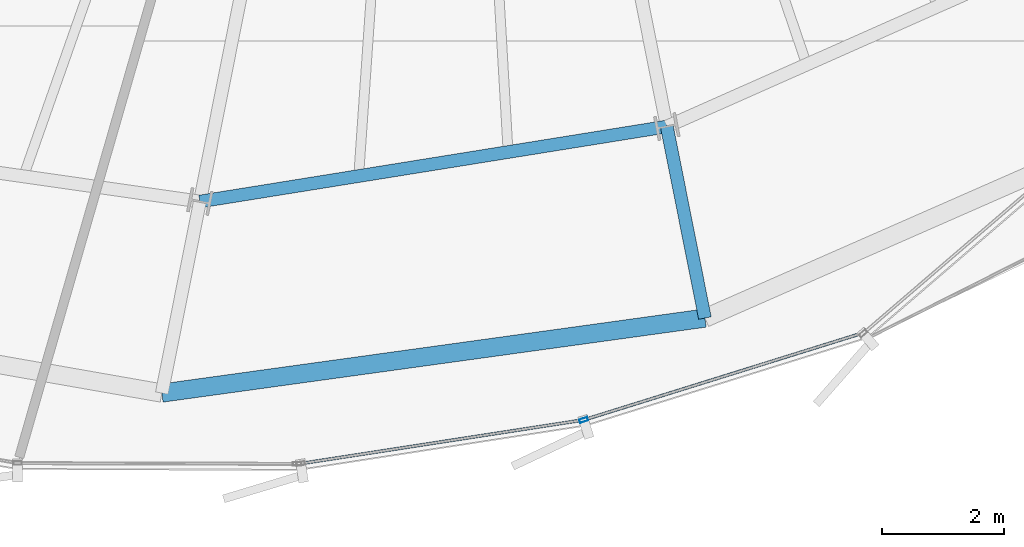
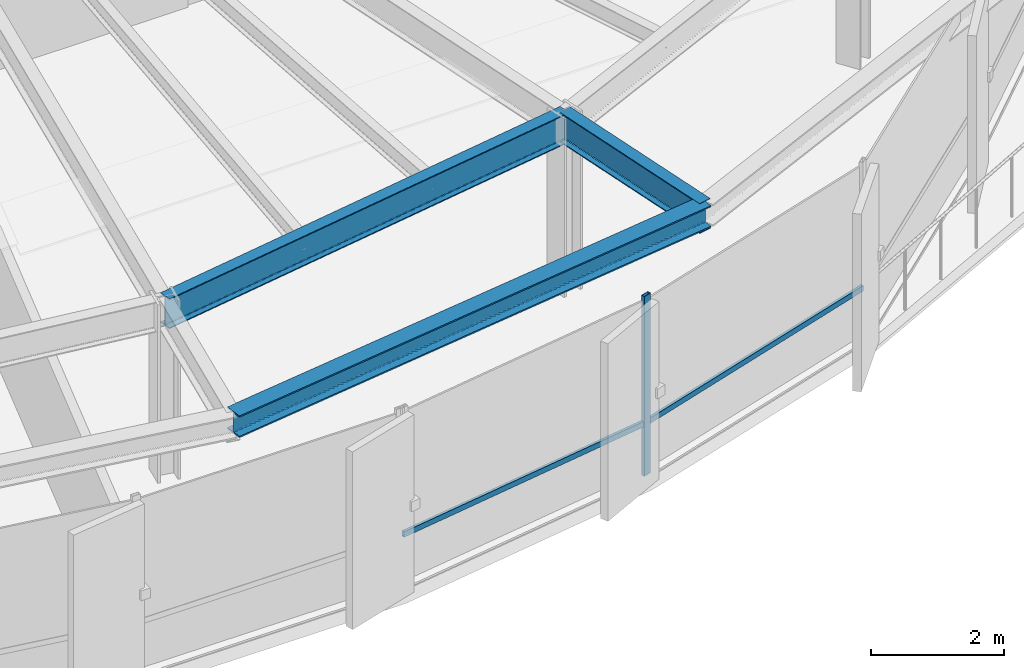
# One storey, part 6 of 34: 3 beams, 3 members, 1 element without a shape of its own.
"""IFC4 building model written with IfcOpenShell, lengths in metres."""

from ifc_helpers import new_model, si_unit, direction, frame, origin, origin_2d, place, context, subcontext, project, spatial, hollow_rectangle, i_section, extrude, source, transform, mapped, material, layer, layer_set, material_profile, profile_set, type_object, element, aggregate, save


model = new_model("IFC4")

# Units and contexts
model_context = context("Model", 3, precision=1e-05, world=origin(), true_north=direction((0.0, 1.0)))
body_context = subcontext(model_context, "Body", "Model", "MODEL_VIEW")
ifc_project = project(units=[si_unit("LENGTHUNIT", "METRE"), si_unit("AREAUNIT", "SQUARE_METRE"), si_unit("VOLUMEUNIT", "CUBIC_METRE"), si_unit("PLANEANGLEUNIT", "RADIAN"), si_unit("MASSUNIT", "GRAM", prefix="KILO"), si_unit("THERMODYNAMICTEMPERATUREUNIT", "KELVIN")], contexts=[model_context])

# Site, building, storey
site_placement = place(None, origin())
site = spatial("IfcSite", under=ifc_project, at=site_placement, CompositionType="ELEMENT")
building_placement = place(site_placement, origin())
building = spatial("IfcBuilding", under=site, at=building_placement, Name="Kethvar Cultural Tower", CompositionType="ELEMENT")
storey_placement = place(building_placement, frame((0.0, 0.0, 153.64990234375)))
storey = spatial("IfcBuildingStorey", under=building, at=storey_placement, Name="L39", CompositionType="ELEMENT", Elevation=153.64990234375)

# Beams
ifc_material_1 = material(Name="Steel S355J2", Category="steel")
ifc_material_profile_1 = material_profile(ifc_material_1, i_section(OverallWidth=0.2099609375, OverallDepth=0.550048828125, WebThickness=0.010986328125, FlangeThickness=0.01708984375, FilletRadius=0.02392578125, at=origin_2d()), Name="Steel S355J2 — IPE550")
ifc_profile_set_1 = profile_set([ifc_material_profile_1], Name="Steel S355J2 — IPE550")
beam_type_1 = type_object("IfcBeamType", Name="BM-IPE550", PredefinedType="BEAM", material=ifc_profile_set_1)
shared_shape_1 = source(origin(), body_context, "Body", "SweptSolid", [
    extrude(i_section(OverallWidth=0.2099609375, OverallDepth=0.550048828125, WebThickness=0.010986328125, FlangeThickness=0.01708984375, FilletRadius=0.02392578125, at=origin_2d()), origin(), (0.0, 0.0, 1.0), 3.2001953125),
])
beam_1_placement = place(storey_placement, frame((50.50341796875, 9.182373046875, 3.023193359375), z_axis=(0.195074368086, -0.980788453702, 0.0), x_axis=(0.980788453702, 0.195074368086, 0.0)))
element("IfcBeam", 1, at=beam_1_placement, inside=storey, type_object=beam_type_1, Name="L39 Perimeter Cantilever Beam RC-13", PredefinedType="BEAM", context=body_context, shape_type="MappedRepresentation", body=[
    mapped(shared_shape_1, transform((0.0, 0.0, 0.0), scale=1.0)),
])
shared_shape_2 = source(origin(), body_context, "Body", "SweptSolid", [
    extrude(i_section(OverallWidth=0.2099609375, OverallDepth=0.550048828125, WebThickness=0.010986328125, FlangeThickness=0.01708984375, FilletRadius=0.02392578125, at=origin_2d()), origin(), (0.0, 0.0, 1.0), 7.749267578125),
])
beam_2_placement = place(storey_placement, frame((42.852294921875, 7.95361328125, 3.023193359375), z_axis=(0.987348257569, 0.158566762831, 0.0), x_axis=(-0.158566762831, 0.987348257569, 0.0)))
element("IfcBeam", 2, at=beam_2_placement, inside=storey, type_object=beam_type_1, Name="L39 Column Ring Tie Beam CR-12", PredefinedType="BEAM", context=body_context, shape_type="MappedRepresentation", body=[
    mapped(shared_shape_2, transform((0.0, 0.0, 0.0), scale=1.0)),
])
ifc_material_profile_2 = material_profile(ifc_material_1, i_section(OverallWidth=0.300048828125, OverallDepth=0.39990234375, WebThickness=0.013427734375, FlangeThickness=0.02392578125, FilletRadius=0.027099609375, at=origin_2d()), Name="Steel S355J2 — HEB400")
ifc_profile_set_2 = profile_set([ifc_material_profile_2], Name="Steel S355J2 — HEB400")
beam_type_2 = type_object("IfcBeamType", Name="BM-SP400", PredefinedType="SPANDREL", material=ifc_profile_set_2)
shared_shape_3 = source(origin(), body_context, "Body", "SweptSolid", [
    extrude(i_section(OverallWidth=0.300048828125, OverallDepth=0.39990234375, WebThickness=0.013427734375, FlangeThickness=0.02392578125, FilletRadius=0.027099609375, at=origin_2d()), origin(), (0.0, 0.0, 1.0), 8.984130859375),
])
beam_3_placement = place(storey_placement, frame((42.22802734375, 4.81494140625, 3.09814453125), z_axis=(0.990602728928, 0.136770733127, 0.0), x_axis=(-0.136770733127, 0.990602728928, 0.0)))
element("IfcBeam", 3, at=beam_3_placement, inside=storey, type_object=beam_type_2, Name="L39 Perimeter Spandrel Beam SP-12", PredefinedType="SPANDREL", context=body_context, shape_type="MappedRepresentation", body=[
    mapped(shared_shape_3, transform((0.0, 0.0, 0.0), scale=1.0)),
])

# Curtain wall, members
ifc_material_2 = material(Name="Aluminium 6063-T6", Category="aluminium")
ifc_layer = layer(ifc_material_2, 0.179931640625, Name="Aluminium 6063-T6", Category="aluminium")
ifc_layer_set = layer_set([ifc_layer], Name="Aluminium 6063-T6 (180 mm)")
curtain_wall_type = type_object("IfcCurtainWallType", Name="CW-SYS-04-Z34", PredefinedType="NOTDEFINED", material=ifc_layer_set)
curtain_wall_placement = place(storey_placement, origin())
curtain_wall = element("IfcCurtainWall", 4, at=curtain_wall_placement, inside=storey, type_object=curtain_wall_type, Name="L39 Curtain Wall Run 05", PredefinedType="NOTDEFINED")
ifc_material_profile_3 = material_profile(ifc_material_2, hollow_rectangle(XDim=0.06005859375, YDim=0.139892578125, WallThickness=0.0048828125, at=origin_2d()), Name="Aluminium 6063-T6 — RHS140x60x5")
ifc_profile_set_3 = profile_set([ifc_material_profile_3], Name="Aluminium 6063-T6 — RHS140x60x5")
member_type_1 = type_object("IfcMemberType", Name="CW-SYS-04-Z34-MUL", PredefinedType="MULLION", material=ifc_profile_set_3)
shared_shape_4 = source(origin(), body_context, "Body", "SweptSolid", [
    extrude(hollow_rectangle(XDim=0.06005859375, YDim=0.139892578125, WallThickness=0.0048828125, at=origin_2d()), origin(), (0.0, 0.0, 1.0), 3.300048828125),
])
member_1_placement = place(storey_placement, frame((49.140625, 4.3740234375, 0.0), z_axis=(0.0, 0.0, 1.0), x_axis=(-0.297574832188, 0.954698496515, 0.0)))
member_1 = element("IfcMember", 5, at=member_1_placement, type_object=member_type_1, Name="CW-L39-R05 Mullion 2", PredefinedType="MULLION", context=body_context, shape_type="MappedRepresentation", body=[
    mapped(shared_shape_4, transform((0.0, 0.0, 0.0), scale=1.0)),
])
ifc_material_profile_4 = material_profile(ifc_material_2, hollow_rectangle(XDim=0.050048828125, YDim=0.10009765625, WallThickness=0.00390625, at=origin_2d()), Name="Aluminium 6063-T6 — RHS100x50x4")
ifc_profile_set_4 = profile_set([ifc_material_profile_4], Name="Aluminium 6063-T6 — RHS100x50x4")
member_type_2 = type_object("IfcMemberType", Name="CW-SYS-04-Z34-TRN", PredefinedType="USERDEFINED", material=ifc_profile_set_4)
shared_shape_5 = source(origin(), body_context, "Body", "SweptSolid", [
    extrude(hollow_rectangle(XDim=0.050048828125, YDim=0.10009765625, WallThickness=0.00390625, at=origin_2d()), origin(), (0.0, 0.0, 1.0), 4.659423828125),
])
member_2_placement = place(storey_placement, frame((44.509033203125, 3.659912109375, 0.9501953125), z_axis=(0.988282481518, 0.152635961437, 0.0), x_axis=(-0.152635961437, 0.988282481518, 0.0)))
member_2 = element("IfcMember", 6, at=member_2_placement, type_object=member_type_2, Name="CW-L39-R05 Transom 1", ObjectType="TRANSOM", PredefinedType="USERDEFINED", context=body_context, shape_type="MappedRepresentation", body=[
    mapped(shared_shape_5, transform((0.0, 0.0, 0.0), scale=1.0)),
])
shared_shape_6 = source(origin(), body_context, "Body", "SweptSolid", [
    extrude(hollow_rectangle(XDim=0.050048828125, YDim=0.10009765625, WallThickness=0.00390625, at=origin_2d()), origin(), (0.0, 0.0, 1.0), 4.75048828125),
])
member_3_placement = place(storey_placement, frame((49.181884765625, 4.386962890625, 0.9501953125), z_axis=(0.954703747371, 0.297557985535, 0.0), x_axis=(-0.297557985535, 0.954703747371, 0.0)))
member_3 = element("IfcMember", 7, at=member_3_placement, type_object=member_type_2, Name="CW-L39-R05 Transom 2", ObjectType="TRANSOM", PredefinedType="USERDEFINED", context=body_context, shape_type="MappedRepresentation", body=[
    mapped(shared_shape_6, transform((0.0, 0.0, 0.0), scale=1.0)),
])
aggregate(curtain_wall, [member_1, member_2, member_3])

save(model, "model.ifc")
